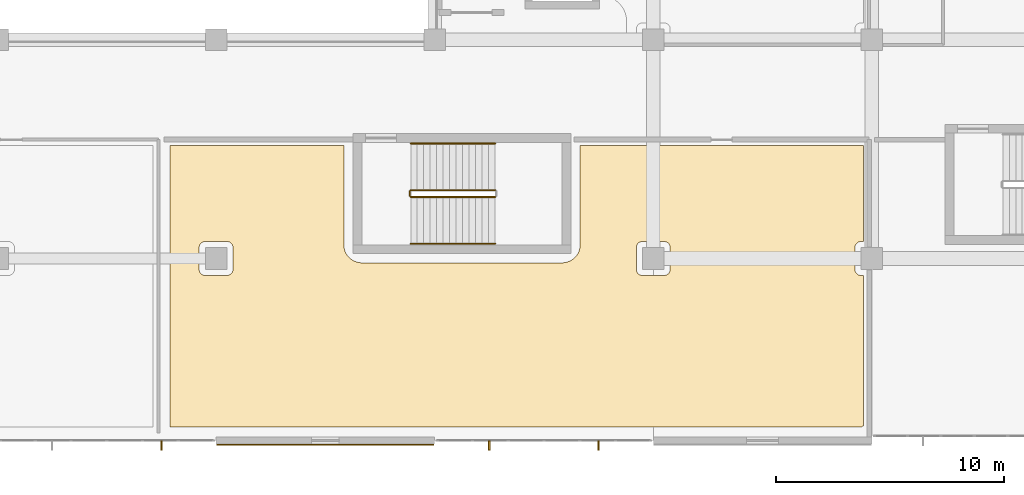
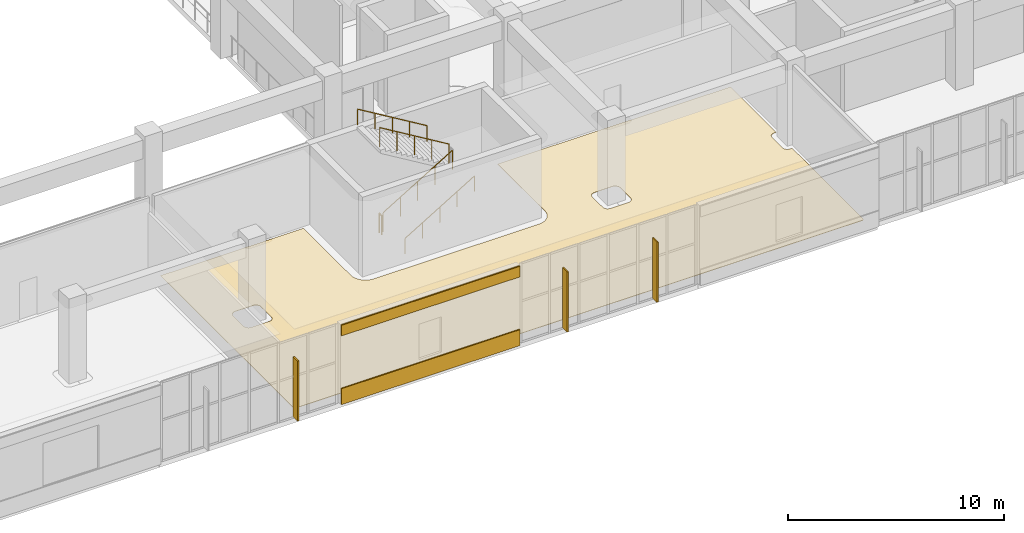
# One storey, part 65 of 86: 5 railings, 3 coverings, 3 shading devices.
"""IFC4 building model written with IfcOpenShell, lengths in metres."""

import ifcopenshell
import ifcopenshell.guid

model = None  # the IFC model being written
_history = None  # IfcOwnerHistory: only IFC2X3 demands one
_inside = {}  # id of a spatial element -> (the spatial element, [elements in it])
_under = {}  # id of a project, library or spatial element -> (it, [spatial elements below it])
_declared = {}  # id of a project -> (the project, [libraries it declares])
_typed = {}  # id of a type object -> (the type object, [elements of that type])
_made_of = {}  # id of a material, layer set ... -> (it, [elements and type objects made of it])


def new_model(schema):
    """Start an empty IFC model of exactly this schema.

    Asked for "IFC4X3", IfcOpenShell would pick the latest addendum, in which some entities
    have other attributes; the version numbers below select the first issue.
    IFC2X3 requires an IfcOwnerHistory on every rooted entity: one is made here for all.
    """
    global model, _history
    if schema == "IFC4X3":
        model = ifcopenshell.file(schema_version=(4, 3, 0, 0))
    else:
        model = ifcopenshell.file(schema=schema)
    _inside.clear()
    _under.clear()
    _declared.clear()
    _typed.clear()
    _made_of.clear()
    _history = None
    if model.schema == "IFC2X3":
        org = make("IfcOrganization", Name="unknown")
        user = make(
            "IfcPersonAndOrganization",
            ThePerson=make("IfcPerson", FamilyName="unknown"),
            TheOrganization=org,
        )
        app = make(
            "IfcApplication",
            ApplicationDeveloper=org,
            Version="unknown",
            ApplicationFullName="unknown",
            ApplicationIdentifier="unknown",
        )
        _history = make(
            "IfcOwnerHistory",
            OwningUser=user,
            OwningApplication=app,
            ChangeAction="ADDED",
            CreationDate=0,
        )
    return model


def make(cls, **values):
    """One entity of the class cls with the attributes given. An attribute that is None is left unset."""
    return model.create_entity(
        cls, **{name: value for name, value in values.items() if value is not None}
    )


def rooted(cls, **values):
    """An entity with a GlobalId (a new one), such as an element, a storey or a relation."""
    return make(cls, GlobalId=ifcopenshell.guid.new(), OwnerHistory=_history, **values)


def si_unit(unit_type, name, prefix=None):
    """IfcSIUnit, for example si_unit("LENGTHUNIT", "METRE", prefix="MILLI")."""
    return make("IfcSIUnit", UnitType=unit_type, Prefix=prefix, Name=name)


def assignment(units):
    """IfcUnitAssignment: the units of a project."""
    return None if units is None else make("IfcUnitAssignment", Units=units)


def point(xyz):
    """IfcCartesianPoint."""
    return None if xyz is None else make("IfcCartesianPoint", Coordinates=xyz)


def direction(xyz):
    """IfcDirection."""
    return None if xyz is None else make("IfcDirection", DirectionRatios=xyz)


def frame(location, z_axis=None, x_axis=None):
    """IfcAxis2Placement3D, a coordinate frame: its origin and axes. An axis left out is left unset."""
    return make(
        "IfcAxis2Placement3D",
        Location=point(location),
        Axis=direction(z_axis),
        RefDirection=direction(x_axis),
    )


def frame_2d(location, x_axis=None):
    """IfcAxis2Placement2D, a coordinate frame in the plane: its origin and x axis."""
    return make(
        "IfcAxis2Placement2D", Location=point(location), RefDirection=direction(x_axis)
    )


def origin():
    """The frame at (0, 0, 0) with its axes left unset."""
    return frame((0.0, 0.0, 0.0))


def origin_2d():
    """The frame at (0, 0) in the plane with its x axis left unset."""
    return frame_2d((0.0, 0.0))


def place(relative_to, where):
    """IfcLocalPlacement: puts the frame where relative to a parent placement (None: the world)."""
    return make(
        "IfcLocalPlacement", PlacementRelTo=relative_to, RelativePlacement=where
    )


def context(
    kind, dimensions, precision=None, world=None, true_north=None, identifier=None
):
    """IfcGeometricRepresentationContext, for example the 3D "Model" context."""
    return make(
        "IfcGeometricRepresentationContext",
        ContextIdentifier=identifier,
        ContextType=kind,
        CoordinateSpaceDimension=dimensions,
        Precision=precision,
        WorldCoordinateSystem=world,
        TrueNorth=true_north,
    )


def subcontext(parent, identifier, kind, view, scale=None):
    """IfcGeometricRepresentationSubContext, for example "Body" below "Model"."""
    return make(
        "IfcGeometricRepresentationSubContext",
        ContextIdentifier=identifier,
        ContextType=kind,
        ParentContext=parent,
        TargetScale=scale,
        TargetView=view,
    )


def project(units=None, contexts=None):
    """IfcProject with its units and contexts."""
    return rooted(
        "IfcProject",
        Name="project",
        RepresentationContexts=contexts,
        UnitsInContext=assignment(units),
    )


def spatial(cls, under=None, at=None, **own):
    """A site, building, storey or space (cls), placed at a placement, below another one or the project."""
    s = rooted(cls, ObjectPlacement=at, **own)
    if under is not None:
        _under.setdefault(under.id(), (under, []))[1].append(s)
    return s


def polyline(points):
    """IfcPolyline through the points."""
    return make("IfcPolyline", Points=[point(p) for p in points])


def profile(cls, at=None, kind="AREA", **sizes):
    """A parametric profile (cls). Its sizes go by their IFC names, for example OverallWidth=200.0."""
    return make(cls, ProfileType=kind, Position=at, **sizes)


def rectangle(**sizes):
    """IfcRectangleProfileDef."""
    return profile("IfcRectangleProfileDef", **sizes)


def circle(**sizes):
    """IfcCircleProfileDef."""
    return profile("IfcCircleProfileDef", **sizes)


def outline(outer, holes=None, kind="AREA"):
    """IfcArbitraryClosedProfileDef: a profile drawn as a closed curve; with holes, ...WithVoids."""
    if holes is None:
        return make("IfcArbitraryClosedProfileDef", ProfileType=kind, OuterCurve=outer)
    return make(
        "IfcArbitraryProfileDefWithVoids",
        ProfileType=kind,
        OuterCurve=outer,
        InnerCurves=holes,
    )


def extrude(swept, where, along, depth):
    """IfcExtrudedAreaSolid: the profile swept, set in the frame where, extruded along a direction by depth."""
    return make(
        "IfcExtrudedAreaSolid",
        SweptArea=swept,
        Position=where,
        ExtrudedDirection=direction(along),
        Depth=depth,
    )


def shape(context_of_items, identifier, shape_type, items):
    """IfcShapeRepresentation: the items that make up one representation, for example the "Body"."""
    return make(
        "IfcShapeRepresentation",
        ContextOfItems=context_of_items,
        RepresentationIdentifier=identifier,
        RepresentationType=shape_type,
        Items=items,
    )


def material(Name=None, Category=None):
    """IfcMaterial."""
    return make("IfcMaterial", Name=Name, Category=Category)


def layer(
    of_material, thickness, ventilated=None, Name=None, Category=None, Priority=None
):
    """IfcMaterialLayer: one layer of a wall or slab, of a material (None: an air gap)."""
    return make(
        "IfcMaterialLayer",
        Material=of_material,
        LayerThickness=thickness,
        IsVentilated=ventilated,
        Name=Name,
        Category=Category,
        Priority=Priority,
    )


def layer_set(layers, Name=None):
    """IfcMaterialLayerSet."""
    return make("IfcMaterialLayerSet", MaterialLayers=layers, LayerSetName=Name)


def made_of(thing, what):
    """Note that an element or type object is made of a material, layer set ...; save() writes the relation."""
    if what is not None:
        _made_of.setdefault(what.id(), (what, []))[1].append(thing)
    return thing


def type_object(cls, material=None, **own):
    """A type object (cls), such as IfcWallType, which elements share."""
    return made_of(rooted(cls, **own), material)


def element(
    cls,
    number,
    at=None,
    inside=None,
    cuts=None,
    type_object=None,
    material=None,
    context=None,
    identifier="Body",
    shape_type=None,
    held_by="IfcProductDefinitionShape",
    body=None,
    shapes=None,
    **own,
):
    """One element of the class cls, such as IfcWall. Its Tag is "e" and its number.

    at: its placement. inside: the storey or other place that contains it. cuts: it is an
    opening in that element (IfcRelVoidsElement). A single representation is given by context,
    identifier, shape_type and body (its items); several are given by shapes. held_by: the class
    of the entity that holds the representations. save() writes the other relations.
    """
    e = rooted(cls, Tag="e%d" % number, ObjectPlacement=at, **own)
    if body is not None:
        shapes = [shape(context, identifier, shape_type, body)]
    if shapes is not None:
        e.Representation = make(held_by, Representations=shapes)
    if inside is not None:
        _inside.setdefault(inside.id(), (inside, []))[1].append(e)
    if cuts is not None:
        rooted(
            "IfcRelVoidsElement", RelatingBuildingElement=cuts, RelatedOpeningElement=e
        )
    if type_object is not None:
        _typed.setdefault(type_object.id(), (type_object, []))[1].append(e)
    return made_of(e, material)


def aggregate(whole, parts):
    """IfcRelAggregates: a whole, such as a stair, and the parts it consists of."""
    return rooted("IfcRelAggregates", RelatingObject=whole, RelatedObjects=parts)


def save(model, path):
    """Write the relations noted so far, then the file.

    IfcRelAggregates (storeys below a building ...), IfcRelContainedInSpatialStructure (elements
    in a storey), IfcRelDefinesByType, IfcRelAssociatesMaterial and IfcRelDeclares: one each for
    every whole, place, type object, material and project.
    """
    for whole, parts in _under.values():
        aggregate(whole, parts)
    for where, things in _inside.values():
        rooted(
            "IfcRelContainedInSpatialStructure",
            RelatedElements=things,
            RelatingStructure=where,
        )
    for kind, things in _typed.values():
        rooted("IfcRelDefinesByType", RelatedObjects=things, RelatingType=kind)
    for what, things in _made_of.values():
        rooted("IfcRelAssociatesMaterial", RelatedObjects=things, RelatingMaterial=what)
    for by, libraries in _declared.values():
        rooted("IfcRelDeclares", RelatingContext=by, RelatedDefinitions=libraries)
    model.write(path)


model = new_model("IFC4")

# Units and contexts
model_context = context("Model", 3, precision=1e-05, world=origin(), true_north=direction((0.0, 1.0)))
body_context = subcontext(model_context, "Body", "Model", "MODEL_VIEW")
ifc_project = project(units=[si_unit("LENGTHUNIT", "METRE"), si_unit("AREAUNIT", "SQUARE_METRE"), si_unit("VOLUMEUNIT", "CUBIC_METRE"), si_unit("PLANEANGLEUNIT", "RADIAN"), si_unit("MASSUNIT", "GRAM", prefix="KILO")], contexts=[model_context])

# Site, building, storey
site_placement = place(None, origin())
site = spatial("IfcSite", under=ifc_project, at=site_placement, CompositionType="ELEMENT")
building_placement = place(site_placement, origin())
building = spatial("IfcBuilding", under=site, at=building_placement, Name="Cendralis Terraced Arcade", CompositionType="ELEMENT")
storey_placement = place(building_placement, frame((0.0, 0.0, 5.39990234375)))
storey = spatial("IfcBuildingStorey", under=building, at=storey_placement, Name="L01", CompositionType="ELEMENT", Elevation=5.39990234375)

# Coverings
ifc_material_1 = material(Name="Precast concrete f'c 40 MPa", Category="concrete")
ifc_layer_1 = layer(ifc_material_1, 0.06494140625, Name="COV-CLAD-GRC-65")
ifc_layer_set_1 = layer_set([ifc_layer_1], Name="Precast concrete f'c 40 MPa")
covering_type_1 = type_object("IfcCoveringType", Name="COV-CLAD-GRC-65", PredefinedType="CLADDING", material=ifc_layer_set_1)
covering_1_placement = place(storey_placement, frame((43.199951171875, 1.419921875, 0.000244140625), z_axis=(0.0, 0.0, 1.0), x_axis=(-1.0, 0.0, 0.0)))
element("IfcCovering", 1, at=covering_1_placement, inside=storey, type_object=covering_type_1, Name="Banded Precast Stone Spandrel Cladding L01-179", PredefinedType="CLADDING", context=body_context, shape_type="SweptSolid", body=[
    extrude(rectangle(XDim=9.5400390625, YDim=0.06494140625, at=origin_2d()), origin(), (0.0, 0.0, 1.0), 0.89990234375),
])
covering_2_placement = place(storey_placement, frame((43.199951171875, 1.419921875, 3.885009765625), z_axis=(0.0, 0.0, 1.0), x_axis=(-1.0, 0.0, 0.0)))
element("IfcCovering", 2, at=covering_2_placement, inside=storey, type_object=covering_type_1, Name="Banded Precast Stone Lintel Cladding L01-180", PredefinedType="CLADDING", context=body_context, shape_type="SweptSolid", body=[
    extrude(rectangle(XDim=9.5400390625, YDim=0.06494140625, at=origin_2d()), origin(), (0.0, 0.0, 1.0), 0.60009765625),
])
ifc_material_2 = material(Name="Warm Andean oak timber", Category="wood")
ifc_layer_2 = layer(ifc_material_2, 0.02197265625, Name="COV-FLR-OAK-22")
ifc_layer_set_2 = layer_set([ifc_layer_2], Name="Warm Andean oak timber")
covering_type_2 = type_object("IfcCoveringType", Name="COV-FLR-OAK-22", PredefinedType="FLOORING", material=ifc_layer_set_2)
covering_3_placement = place(storey_placement, origin())
element("IfcCovering", 3, at=covering_3_placement, inside=storey, type_object=covering_type_2, Name="Interior Finish Flooring L01-051", PredefinedType="FLOORING", context=body_context, shape_type="SweptSolid", body=[
    extrude(outline(polyline([(44.010009765625, 10.199951171875), (44.010009765625, 10.19384765625), (44.01025390625, 10.18798828125), (44.010498046875, 10.181884765625), (44.012451171875, 10.140625), (44.013427734375, 10.12841796875), (44.014404296875, 10.11669921875), (44.01611328125, 10.1044921875), (44.022216796875, 10.063720703125), (44.024169921875, 10.0517578125), (44.026611328125, 10.0400390625), (44.029296875, 10.0283203125), (44.039306640625, 9.98828125), (44.04248046875, 9.976318359375), (44.0458984375, 9.965087890625), (44.0498046875, 9.953369140625), (44.063720703125, 9.91455078125), (44.068115234375, 9.9033203125), (44.072509765625, 9.892333984375), (44.077392578125, 9.881103515625), (44.09521484375, 9.84375), (44.1005859375, 9.8330078125), (44.106201171875, 9.822509765625), (44.1123046875, 9.811767578125), (44.13330078125, 9.7763671875), (44.139892578125, 9.76611328125), (44.146484375, 9.75634765625), (44.153564453125, 9.746337890625), (44.177978515625, 9.713134765625), (44.185791015625, 9.70361328125), (44.193115234375, 9.6943359375), (44.201171875, 9.68505859375), (44.22900390625, 9.654541015625), (44.2373046875, 9.645751953125), (44.24560546875, 9.63720703125), (44.25439453125, 9.62890625), (44.28515625, 9.601318359375), (44.29443359375, 9.59326171875), (44.303466796875, 9.585693359375), (44.31298828125, 9.578125), (44.34619140625, 9.5537109375), (44.356201171875, 9.54638671875), (44.3662109375, 9.5400390625), (44.37646484375, 9.533447265625), (44.411865234375, 9.51220703125), (44.422607421875, 9.506103515625), (44.432861328125, 9.50048828125), (44.44384765625, 9.4951171875), (44.481201171875, 9.4775390625), (44.4921875, 9.472412109375), (44.503173828125, 9.468017578125), (44.5146484375, 9.463623046875), (44.553466796875, 9.44970703125), (44.565185546875, 9.44580078125), (44.576416015625, 9.4423828125), (44.588134765625, 9.439208984375), (44.628173828125, 9.42919921875), (44.64013671875, 9.426513671875), (44.651611328125, 9.42431640625), (44.663818359375, 9.422119140625), (44.70458984375, 9.416015625), (44.716796875, 9.41455078125), (44.728515625, 9.413330078125), (44.74072265625, 9.41259765625), (44.78173828125, 9.410400390625), (44.7880859375, 9.41015625), (44.7939453125, 9.41015625), (44.800048828125, 9.409912109375), (53.60009765625, 9.409912109375), (53.606201171875, 9.41015625), (53.612060546875, 9.41015625), (53.6181640625, 9.410400390625), (53.6591796875, 9.41259765625), (53.671630859375, 9.413330078125), (53.683349609375, 9.41455078125), (53.695556640625, 9.416015625), (53.736083984375, 9.422119140625), (53.748291015625, 9.42431640625), (53.760009765625, 9.426513671875), (53.771728515625, 9.42919921875), (53.811767578125, 9.439208984375), (53.823486328125, 9.4423828125), (53.8349609375, 9.44580078125), (53.8466796875, 9.44970703125), (53.885498046875, 9.463623046875), (53.896728515625, 9.468017578125), (53.90771484375, 9.472412109375), (53.9189453125, 9.4775390625), (53.956298828125, 9.4951171875), (53.967041015625, 9.50048828125), (53.9775390625, 9.506103515625), (53.98828125, 9.51220703125), (54.023681640625, 9.533447265625), (54.033935546875, 9.5400390625), (54.043701171875, 9.54638671875), (54.0537109375, 9.5537109375), (54.0869140625, 9.578125), (54.096435546875, 9.585693359375), (54.105712890625, 9.59326171875), (54.114990234375, 9.601318359375), (54.1455078125, 9.62890625), (54.154296875, 9.63720703125), (54.16259765625, 9.645751953125), (54.171142578125, 9.654541015625), (54.19873046875, 9.68505859375), (54.206787109375, 9.6943359375), (54.21435546875, 9.70361328125), (54.221923828125, 9.713134765625), (54.246337890625, 9.746337890625), (54.25341796875, 9.75634765625), (54.260009765625, 9.76611328125), (54.2666015625, 9.7763671875), (54.287841796875, 9.811767578125), (54.293701171875, 9.822509765625), (54.29931640625, 9.8330078125), (54.304931640625, 9.84375), (54.322509765625, 9.881103515625), (54.327392578125, 9.892333984375), (54.33203125, 9.9033203125), (54.33642578125, 9.91455078125), (54.350341796875, 9.953369140625), (54.35400390625, 9.965087890625), (54.357666015625, 9.976318359375), (54.36083984375, 9.98828125), (54.370849609375, 10.0283203125), (54.37353515625, 10.0400390625), (54.375732421875, 10.0517578125), (54.3779296875, 10.063720703125), (54.384033203125, 10.1044921875), (54.385498046875, 10.11669921875), (54.38671875, 10.12841796875), (54.387451171875, 10.140625), (54.3896484375, 10.181884765625), (54.389892578125, 10.18798828125), (54.389892578125, 10.19384765625), (54.389892578125, 10.199951171875), (54.389892578125, 14.570068359375), (66.830078125, 14.570068359375), (66.830078125, 10.344970703125), (66.72509765625, 10.344970703125), (66.712646484375, 10.3447265625), (66.710693359375, 10.344482421875), (66.686279296875, 10.34228515625), (66.684326171875, 10.341796875), (66.660400390625, 10.337158203125), (66.658447265625, 10.336669921875), (66.635009765625, 10.32958984375), (66.633056640625, 10.328857421875), (66.610595703125, 10.319580078125), (66.608642578125, 10.318603515625), (66.5869140625, 10.30712890625), (66.58544921875, 10.30615234375), (66.56494140625, 10.29248046875), (66.5634765625, 10.291259765625), (66.54443359375, 10.275634765625), (66.54296875, 10.2744140625), (66.525634765625, 10.257080078125), (66.5244140625, 10.255615234375), (66.5087890625, 10.236572265625), (66.507568359375, 10.235107421875), (66.493896484375, 10.214599609375), (66.492919921875, 10.212890625), (66.4814453125, 10.19140625), (66.48046875, 10.189453125), (66.47119140625, 10.1669921875), (66.470458984375, 10.1650390625), (66.46337890625, 10.1416015625), (66.462890625, 10.1396484375), (66.4580078125, 10.115478515625), (66.457763671875, 10.113525390625), (66.455322265625, 10.089111328125), (66.455322265625, 10.08740234375), (66.455078125, 10.074951171875), (66.455078125, 9.125), (66.455322265625, 9.11279296875), (66.455322265625, 9.11083984375), (66.457763671875, 9.08642578125), (66.4580078125, 9.08447265625), (66.462890625, 9.060302734375), (66.46337890625, 9.058349609375), (66.470458984375, 9.034912109375), (66.47119140625, 9.033203125), (66.48046875, 9.010498046875), (66.4814453125, 9.0087890625), (66.492919921875, 8.987060546875), (66.493896484375, 8.9853515625), (66.507568359375, 8.965087890625), (66.5087890625, 8.96337890625), (66.5244140625, 8.9443359375), (66.525634765625, 8.943115234375), (66.54296875, 8.925537109375), (66.54443359375, 8.92431640625), (66.5634765625, 8.90869140625), (66.56494140625, 8.90771484375), (66.58544921875, 8.893798828125), (66.5869140625, 8.892822265625), (66.608642578125, 8.88134765625), (66.610595703125, 8.880615234375), (66.633056640625, 8.87109375), (66.635009765625, 8.87060546875), (66.658447265625, 8.86328125), (66.660400390625, 8.86279296875), (66.684326171875, 8.858154296875), (66.686279296875, 8.85791015625), (66.710693359375, 8.85546875), (66.712646484375, 8.855224609375), (66.72509765625, 8.85498046875), (66.830078125, 8.85498046875), (66.830078125, 2.259521484375), (66.8212890625, 2.252197265625), (66.81201171875, 2.244140625), (66.7958984375, 2.229736328125), (66.787109375, 2.22119140625), (66.77880859375, 2.212890625), (66.770263671875, 2.2041015625), (66.757568359375, 2.18994140625), (36.3701171875, 2.18994140625), (36.3701171875, 14.570068359375), (44.010009765625, 14.570068359375), (44.010009765625, 10.199951171875)]), holes=[polyline([(56.9853515625, 8.893798828125), (56.987060546875, 8.892822265625), (57.0087890625, 8.88134765625), (57.010498046875, 8.880615234375), (57.033203125, 8.87109375), (57.034912109375, 8.87060546875), (57.058349609375, 8.86328125), (57.060302734375, 8.86279296875), (57.08447265625, 8.858154296875), (57.08642578125, 8.85791015625), (57.11083984375, 8.85546875), (57.11279296875, 8.855224609375), (57.125, 8.85498046875), (58.074951171875, 8.85498046875), (58.08740234375, 8.855224609375), (58.089111328125, 8.85546875), (58.113525390625, 8.85791015625), (58.115478515625, 8.858154296875), (58.1396484375, 8.86279296875), (58.1416015625, 8.86328125), (58.1650390625, 8.87060546875), (58.1669921875, 8.87109375), (58.189453125, 8.880615234375), (58.19140625, 8.88134765625), (58.212890625, 8.892822265625), (58.214599609375, 8.893798828125), (58.235107421875, 8.90771484375), (58.236572265625, 8.90869140625), (58.255615234375, 8.92431640625), (58.257080078125, 8.925537109375), (58.2744140625, 8.943115234375), (58.275634765625, 8.9443359375), (58.291259765625, 8.96337890625), (58.29248046875, 8.965087890625), (58.30615234375, 8.9853515625), (58.30712890625, 8.987060546875), (58.318603515625, 9.0087890625), (58.319580078125, 9.010498046875), (58.328857421875, 9.033203125), (58.32958984375, 9.034912109375), (58.336669921875, 9.058349609375), (58.337158203125, 9.060302734375), (58.341796875, 9.08447265625), (58.34228515625, 9.08642578125), (58.344482421875, 9.11083984375), (58.3447265625, 9.11279296875), (58.344970703125, 9.125), (58.344970703125, 10.074951171875), (58.3447265625, 10.08740234375), (58.344482421875, 10.089111328125), (58.34228515625, 10.113525390625), (58.341796875, 10.115478515625), (58.337158203125, 10.1396484375), (58.336669921875, 10.1416015625), (58.32958984375, 10.1650390625), (58.328857421875, 10.1669921875), (58.319580078125, 10.189453125), (58.318603515625, 10.19140625), (58.30712890625, 10.212890625), (58.30615234375, 10.214599609375), (58.29248046875, 10.235107421875), (58.291259765625, 10.236572265625), (58.275634765625, 10.255615234375), (58.2744140625, 10.257080078125), (58.257080078125, 10.2744140625), (58.255615234375, 10.275634765625), (58.236572265625, 10.291259765625), (58.235107421875, 10.29248046875), (58.214599609375, 10.30615234375), (58.212890625, 10.30712890625), (58.19140625, 10.318603515625), (58.189453125, 10.319580078125), (58.1669921875, 10.328857421875), (58.1650390625, 10.32958984375), (58.1416015625, 10.336669921875), (58.1396484375, 10.337158203125), (58.115478515625, 10.341796875), (58.113525390625, 10.34228515625), (58.089111328125, 10.344482421875), (58.08740234375, 10.3447265625), (58.074951171875, 10.344970703125), (57.125, 10.344970703125), (57.11279296875, 10.3447265625), (57.11083984375, 10.344482421875), (57.08642578125, 10.34228515625), (57.08447265625, 10.341796875), (57.060302734375, 10.337158203125), (57.058349609375, 10.336669921875), (57.034912109375, 10.32958984375), (57.033203125, 10.328857421875), (57.010498046875, 10.319580078125), (57.0087890625, 10.318603515625), (56.987060546875, 10.30712890625), (56.9853515625, 10.30615234375), (56.965087890625, 10.29248046875), (56.96337890625, 10.291259765625), (56.9443359375, 10.275634765625), (56.943115234375, 10.2744140625), (56.925537109375, 10.257080078125), (56.92431640625, 10.255615234375), (56.90869140625, 10.236572265625), (56.90771484375, 10.235107421875), (56.893798828125, 10.214599609375), (56.892822265625, 10.212890625), (56.88134765625, 10.19140625), (56.880615234375, 10.189453125), (56.87109375, 10.1669921875), (56.87060546875, 10.1650390625), (56.86328125, 10.1416015625), (56.86279296875, 10.1396484375), (56.858154296875, 10.115478515625), (56.85791015625, 10.113525390625), (56.85546875, 10.089111328125), (56.855224609375, 10.08740234375), (56.85498046875, 10.074951171875), (56.85498046875, 9.125), (56.855224609375, 9.11279296875), (56.85546875, 9.11083984375), (56.85791015625, 9.08642578125), (56.858154296875, 9.08447265625), (56.86279296875, 9.060302734375), (56.86328125, 9.058349609375), (56.87060546875, 9.034912109375), (56.87109375, 9.033203125), (56.880615234375, 9.010498046875), (56.88134765625, 9.0087890625), (56.892822265625, 8.987060546875), (56.893798828125, 8.9853515625), (56.90771484375, 8.965087890625), (56.90869140625, 8.96337890625), (56.92431640625, 8.9443359375), (56.925537109375, 8.943115234375), (56.943115234375, 8.925537109375), (56.9443359375, 8.92431640625), (56.96337890625, 8.90869140625), (56.965087890625, 8.90771484375), (56.9853515625, 8.893798828125)]), polyline([(37.80859375, 8.88134765625), (37.810546875, 8.880615234375), (37.8330078125, 8.87109375), (37.8349609375, 8.87060546875), (37.8583984375, 8.86328125), (37.8603515625, 8.86279296875), (37.884521484375, 8.858154296875), (37.886474609375, 8.85791015625), (37.910888671875, 8.85546875), (37.91259765625, 8.855224609375), (37.925048828125, 8.85498046875), (38.875, 8.85498046875), (38.88720703125, 8.855224609375), (38.88916015625, 8.85546875), (38.91357421875, 8.85791015625), (38.91552734375, 8.858154296875), (38.939697265625, 8.86279296875), (38.941650390625, 8.86328125), (38.965087890625, 8.87060546875), (38.966796875, 8.87109375), (38.989501953125, 8.880615234375), (38.9912109375, 8.88134765625), (39.012939453125, 8.892822265625), (39.0146484375, 8.893798828125), (39.034912109375, 8.90771484375), (39.03662109375, 8.90869140625), (39.0556640625, 8.92431640625), (39.056884765625, 8.925537109375), (39.074462890625, 8.943115234375), (39.07568359375, 8.9443359375), (39.09130859375, 8.96337890625), (39.09228515625, 8.965087890625), (39.106201171875, 8.9853515625), (39.107177734375, 8.987060546875), (39.11865234375, 9.0087890625), (39.119384765625, 9.010498046875), (39.12890625, 9.033203125), (39.12939453125, 9.034912109375), (39.13671875, 9.058349609375), (39.13720703125, 9.060302734375), (39.141845703125, 9.08447265625), (39.14208984375, 9.08642578125), (39.14453125, 9.11083984375), (39.144775390625, 9.11279296875), (39.14501953125, 9.125), (39.14501953125, 10.074951171875), (39.144775390625, 10.08740234375), (39.14453125, 10.089111328125), (39.14208984375, 10.113525390625), (39.141845703125, 10.115478515625), (39.13720703125, 10.1396484375), (39.13671875, 10.1416015625), (39.12939453125, 10.1650390625), (39.12890625, 10.1669921875), (39.119384765625, 10.189453125), (39.11865234375, 10.19140625), (39.107177734375, 10.212890625), (39.106201171875, 10.214599609375), (39.09228515625, 10.235107421875), (39.09130859375, 10.236572265625), (39.07568359375, 10.255615234375), (39.074462890625, 10.257080078125), (39.056884765625, 10.2744140625), (39.0556640625, 10.275634765625), (39.03662109375, 10.291259765625), (39.034912109375, 10.29248046875), (39.0146484375, 10.30615234375), (39.012939453125, 10.30712890625), (38.9912109375, 10.318603515625), (38.989501953125, 10.319580078125), (38.966796875, 10.328857421875), (38.965087890625, 10.32958984375), (38.941650390625, 10.336669921875), (38.939697265625, 10.337158203125), (38.91552734375, 10.341796875), (38.91357421875, 10.34228515625), (38.88916015625, 10.344482421875), (38.88720703125, 10.3447265625), (38.875, 10.344970703125), (37.925048828125, 10.344970703125), (37.91259765625, 10.3447265625), (37.910888671875, 10.344482421875), (37.886474609375, 10.34228515625), (37.884521484375, 10.341796875), (37.8603515625, 10.337158203125), (37.8583984375, 10.336669921875), (37.8349609375, 10.32958984375), (37.8330078125, 10.328857421875), (37.810546875, 10.319580078125), (37.80859375, 10.318603515625), (37.787109375, 10.30712890625), (37.785400390625, 10.30615234375), (37.764892578125, 10.29248046875), (37.763427734375, 10.291259765625), (37.744384765625, 10.275634765625), (37.742919921875, 10.2744140625), (37.7255859375, 10.257080078125), (37.724365234375, 10.255615234375), (37.708740234375, 10.236572265625), (37.70751953125, 10.235107421875), (37.69384765625, 10.214599609375), (37.69287109375, 10.212890625), (37.681396484375, 10.19140625), (37.680419921875, 10.189453125), (37.671142578125, 10.1669921875), (37.67041015625, 10.1650390625), (37.663330078125, 10.1416015625), (37.662841796875, 10.1396484375), (37.658203125, 10.115478515625), (37.65771484375, 10.113525390625), (37.655517578125, 10.089111328125), (37.6552734375, 10.08740234375), (37.655029296875, 10.074951171875), (37.655029296875, 9.125), (37.6552734375, 9.11279296875), (37.655517578125, 9.11083984375), (37.65771484375, 9.08642578125), (37.658203125, 9.08447265625), (37.662841796875, 9.060302734375), (37.663330078125, 9.058349609375), (37.67041015625, 9.034912109375), (37.671142578125, 9.033203125), (37.680419921875, 9.010498046875), (37.681396484375, 9.0087890625), (37.69287109375, 8.987060546875), (37.69384765625, 8.9853515625), (37.70751953125, 8.965087890625), (37.708740234375, 8.96337890625), (37.724365234375, 8.9443359375), (37.7255859375, 8.943115234375), (37.742919921875, 8.925537109375), (37.744384765625, 8.92431640625), (37.763427734375, 8.90869140625), (37.764892578125, 8.90771484375), (37.785400390625, 8.893798828125), (37.787109375, 8.892822265625), (37.80859375, 8.88134765625)])]), origin(), (0.0, 0.0, 1.0), 0.022216796875),
])

# Railings
ifc_material_3 = material(Name="Brushed stainless steel AISI 316", Category="steel")
railing_type_1 = type_object("IfcRailingType", Name="RL-STAIR-GUARD-1100", PredefinedType="GUARDRAIL", material=ifc_material_3)
railing_1_placement = place(storey_placement, frame((46.949951171875, 12.300048828125, 0.171630859375)))
element("IfcRailing", 4, at=railing_1_placement, inside=storey, type_object=railing_type_1, Name="L01 ST-03 stair guard 1", PredefinedType="GUARDRAIL", context=body_context, shape_type="SweptSolid", body=[
    extrude(circle(Radius=0.02392578125, at=origin_2d()), frame((0.0, 0.0, 1.076171875), z_axis=(0.856934400257, 0.0, 0.515425487977), x_axis=(0.0, 1.0, 0.0)), (0.0, 0.0, 1.0), 4.32373046875),
    extrude(circle(Radius=0.02099609375, at=origin_2d()), origin(), (0.0, 0.0, 1.0), 1.052001953125),
    extrude(circle(Radius=0.02099609375, at=origin_2d()), frame((0.92626953125, 0.0, 0.55712890625)), (0.0, 0.0, 1.0), 1.052001953125),
    extrude(circle(Radius=0.02099609375, at=origin_2d()), frame((1.8525390625, 0.0, 1.1142578125)), (0.0, 0.0, 1.0), 1.052001953125),
    extrude(circle(Radius=0.02099609375, at=origin_2d()), frame((2.77880859375, 0.0, 1.67138671875)), (0.0, 0.0, 1.0), 1.052001953125),
    extrude(circle(Radius=0.02099609375, at=origin_2d()), frame((3.705078125, 0.0, 2.228515625)), (0.0, 0.0, 1.0), 1.052001953125),
])
railing_2_placement = place(storey_placement, frame((50.655029296875, 12.60009765625, 2.571533203125)))
element("IfcRailing", 5, at=railing_2_placement, inside=storey, type_object=railing_type_1, Name="L01 ST-03 stair guard 3", PredefinedType="GUARDRAIL", context=body_context, shape_type="SweptSolid", body=[
    extrude(circle(Radius=0.02392578125, at=origin_2d()), frame((0.0, 0.0, 1.076171875), z_axis=(-0.856934400257, 0.0, 0.515425487977), x_axis=(0.0, -1.0, 0.0)), (0.0, 0.0, 1.0), 4.32373046875),
    extrude(circle(Radius=0.02099609375, at=origin_2d()), origin(), (0.0, 0.0, 1.0), 1.052001953125),
    extrude(circle(Radius=0.02099609375, at=origin_2d()), frame((-0.92626953125, 0.0, 0.55712890625)), (0.0, 0.0, 1.0), 1.052001953125),
    extrude(circle(Radius=0.02099609375, at=origin_2d()), frame((-1.8525390625, 0.0, 1.1142578125)), (0.0, 0.0, 1.0), 1.052001953125),
    extrude(circle(Radius=0.02099609375, at=origin_2d()), frame((-2.77880859375, 0.0, 1.67138671875)), (0.0, 0.0, 1.0), 1.052001953125),
    extrude(circle(Radius=0.02099609375, at=origin_2d()), frame((-3.705078125, 0.0, 2.228515625)), (0.0, 0.0, 1.0), 1.052001953125),
])
railing_3_placement = place(storey_placement, frame((46.89990234375, 12.35009765625, 0.0)))
element("IfcRailing", 6, at=railing_3_placement, inside=storey, type_object=railing_type_1, Name="L01 ST-03 stair guard 4", PredefinedType="GUARDRAIL", context=body_context, shape_type="SweptSolid", body=[
    extrude(circle(Radius=0.02392578125, at=origin_2d()), frame((0.0, 0.0, 1.076171875), z_axis=(0.0, 1.0, 0.0), x_axis=(-1.0, 0.0, 0.0)), (0.0, 0.0, 1.0), 0.199951171875),
    extrude(circle(Radius=0.02099609375, at=origin_2d()), origin(), (0.0, 0.0, 1.0), 1.052001953125),
    extrude(circle(Radius=0.02099609375, at=origin_2d()), frame((0.0, 0.199951171875, 0.0)), (0.0, 0.0, 1.0), 1.052001953125),
])
railing_type_2 = type_object("IfcRailingType", Name="RL-STAIR-HAND-900", PredefinedType="HANDRAIL", material=ifc_material_3)
railing_4_placement = place(storey_placement, frame((46.949951171875, 10.25, 0.171630859375)))
element("IfcRailing", 7, at=railing_4_placement, inside=storey, type_object=railing_type_2, Name="L01 ST-03 stair handrail 1", PredefinedType="HANDRAIL", context=body_context, shape_type="SweptSolid", body=[
    extrude(circle(Radius=0.02392578125, at=origin_2d()), frame((0.0, 0.0, 0.8759765625), z_axis=(0.856934400257, 0.0, 0.515425487977), x_axis=(0.0, 1.0, 0.0)), (0.0, 0.0, 1.0), 4.32373046875),
    extrude(circle(Radius=0.02099609375, at=origin_2d()), origin(), (0.0, 0.0, 1.0), 0.851806640625),
    extrude(circle(Radius=0.02099609375, at=origin_2d()), frame((0.92626953125, 0.0, 0.55712890625)), (0.0, 0.0, 1.0), 0.851806640625),
    extrude(circle(Radius=0.02099609375, at=origin_2d()), frame((1.8525390625, 0.0, 1.1142578125)), (0.0, 0.0, 1.0), 0.851806640625),
    extrude(circle(Radius=0.02099609375, at=origin_2d()), frame((2.77880859375, 0.0, 1.67138671875)), (0.0, 0.0, 1.0), 0.851806640625),
    extrude(circle(Radius=0.02099609375, at=origin_2d()), frame((3.705078125, 0.0, 2.228515625)), (0.0, 0.0, 1.0), 0.851806640625),
])
railing_5_placement = place(storey_placement, frame((50.655029296875, 14.64990234375, 2.571533203125)))
element("IfcRailing", 8, at=railing_5_placement, inside=storey, type_object=railing_type_2, Name="L01 ST-03 stair handrail 2", PredefinedType="HANDRAIL", context=body_context, shape_type="SweptSolid", body=[
    extrude(circle(Radius=0.02392578125, at=origin_2d()), frame((0.0, 0.0, 0.8759765625), z_axis=(-0.856934400257, 0.0, 0.515425487977), x_axis=(0.0, -1.0, 0.0)), (0.0, 0.0, 1.0), 4.32373046875),
    extrude(circle(Radius=0.02099609375, at=origin_2d()), origin(), (0.0, 0.0, 1.0), 0.851806640625),
    extrude(circle(Radius=0.02099609375, at=origin_2d()), frame((-0.92626953125, 0.0, 0.55712890625)), (0.0, 0.0, 1.0), 0.851806640625),
    extrude(circle(Radius=0.02099609375, at=origin_2d()), frame((-1.8525390625, 0.0, 1.1142578125)), (0.0, 0.0, 1.0), 0.851806640625),
    extrude(circle(Radius=0.02099609375, at=origin_2d()), frame((-2.77880859375, 0.0, 1.67138671875)), (0.0, 0.0, 1.0), 0.851806640625),
    extrude(circle(Radius=0.02099609375, at=origin_2d()), frame((-3.705078125, 0.0, 2.228515625)), (0.0, 0.0, 1.0), 0.851806640625),
])

# Shading devices
ifc_material_4 = material(Name="Anodised aluminium EN AW-6063 T6", Category="aluminium")
shading_device_type = type_object("IfcShadingDeviceType", Name="SHD-FIN-420", PredefinedType="USERDEFINED", material=ifc_material_4)
for number, where, z_axis, x_axis, name in (
    (9, (55.199951171875, 1.385009765625, 0.050048828125), (0.0, 0.0, 1.0), (-1.0, 0.0, 0.0), "Parametric Vertical Solar Fin FIN-L01-023"),
    (10, (50.39990234375, 1.385009765625, 0.050048828125), (0.0, 0.0, 1.0), (-1.0, 0.0, 0.0), "Parametric Vertical Solar Fin FIN-L01-024"),
    (11, (36.0, 1.385009765625, 0.050048828125), (0.0, 0.0, 1.0), (-1.0, 0.0, 0.0), "Parametric Vertical Solar Fin FIN-L01-025"),
):
    element("IfcShadingDevice", number, at=place(storey_placement, frame(where, z_axis=z_axis, x_axis=x_axis)), inside=storey, type_object=shading_device_type, Name=name, ObjectType="FIN", PredefinedType="USERDEFINED", context=body_context, shape_type="SweptSolid", body=[
        extrude(rectangle(XDim=0.074951171875, YDim=0.419921875, at=origin_2d()), origin(), (0.0, 0.0, 1.0), 3.39990234375),
    ])

save(model, "model.ifc")
